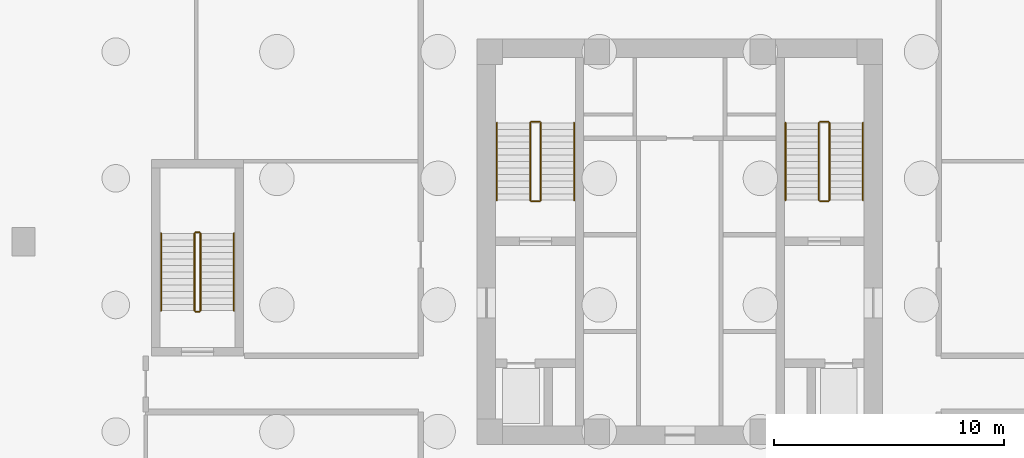
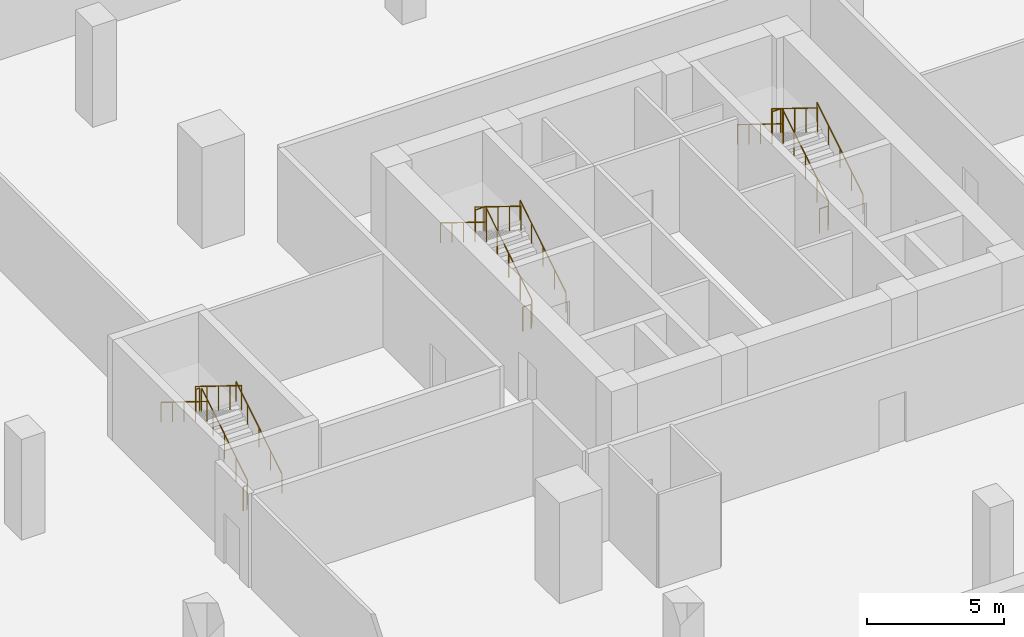
# One storey, part 6 of 8: 18 railings.
"""IFC4 building model written with IfcOpenShell, lengths in metres."""

from ifc_helpers import new_model, si_unit, direction, frame, origin, origin_2d, place, context, subcontext, project, spatial, circle, extrude, source, transform, mapped, material, type_object, element, save


model = new_model("IFC4")

# Units and contexts
model_context = context("Model", 3, precision=1e-05, world=origin(), true_north=direction((0.0, 1.0)))
body_context = subcontext(model_context, "Body", "Model", "MODEL_VIEW")
ifc_project = project(units=[si_unit("LENGTHUNIT", "METRE"), si_unit("AREAUNIT", "SQUARE_METRE"), si_unit("VOLUMEUNIT", "CUBIC_METRE"), si_unit("PLANEANGLEUNIT", "RADIAN"), si_unit("MASSUNIT", "GRAM", prefix="KILO"), si_unit("THERMODYNAMICTEMPERATUREUNIT", "KELVIN")], contexts=[model_context])

# Site, building, storey
site_placement = place(None, origin())
site = spatial("IfcSite", under=ifc_project, at=site_placement, CompositionType="ELEMENT")
building_placement = place(site_placement, origin())
building = spatial("IfcBuilding", under=site, at=building_placement, Name="Kosmvard Interchange Tower", CompositionType="ELEMENT")
storey_placement = place(building_placement, frame((0.0, 0.0, -9.0)))
storey = spatial("IfcBuildingStorey", under=building, at=storey_placement, Name="B02", CompositionType="ELEMENT", Elevation=-9.0)

# Railings
ifc_material = material(Name="Steel S355", Category="steel")
railing_type_1 = type_object("IfcRailingType", Name="Stair & Terrace Safety Guardrail 1100 Steel", PredefinedType="GUARDRAIL", material=ifc_material)
shared_shape_1 = source(origin(), body_context, "Body", "SweptSolid", [
    extrude(circle(Radius=0.02392578125, at=origin_2d()), frame((0.0, 0.0, 1.076171875), z_axis=(0.0, 0.850606129759, 0.525803396734), x_axis=(-1.0, 0.0, 0.0)), (0.0, 0.0, 1.0), 3.949951171875),
    extrude(circle(Radius=0.02099609375, at=origin_2d()), origin(), (0.0, 0.0, 1.0), 1.052001953125),
    extrude(circle(Radius=0.02099609375, at=origin_2d()), frame((0.0, 0.83984375, 0.519287109375)), (0.0, 0.0, 1.0), 1.052001953125),
    extrude(circle(Radius=0.02099609375, at=origin_2d()), frame((0.0, 1.679931640625, 1.03857421875)), (0.0, 0.0, 1.0), 1.052001953125),
    extrude(circle(Radius=0.02099609375, at=origin_2d()), frame((0.0, 2.52001953125, 1.5576171875)), (0.0, 0.0, 1.0), 1.052001953125),
    extrude(circle(Radius=0.02099609375, at=origin_2d()), frame((0.0, 3.35986328125, 2.076904296875)), (0.0, 0.0, 1.0), 1.052001953125),
])
for number, where, name in (
    (1, (-6.0400390625, 1.800048828125, 0.173095703125), "B02 ST-1 stair guard 1"),
    (2, (6.5, 1.800048828125, 0.173095703125), "B02 ST-2 stair guard 1"),
):
    element("IfcRailing", number, at=place(storey_placement, frame(where)), inside=storey, type_object=railing_type_1, Name=name, PredefinedType="GUARDRAIL", context=body_context, shape_type="MappedRepresentation", body=[
        mapped(shared_shape_1, transform((0.0, 0.0, 0.0), scale=1.0)),
    ])
shared_shape_2 = source(origin(), body_context, "Body", "SweptSolid", [
    extrude(circle(Radius=0.02392578125, at=origin_2d()), frame((0.0, 0.0, 1.076171875), z_axis=(-1.0, 0.0, 0.0), x_axis=(0.0, -1.0, 0.0)), (0.0, 0.0, 1.0), 0.35986328125),
    extrude(circle(Radius=0.02099609375, at=origin_2d()), origin(), (0.0, 0.0, 1.0), 1.052001953125),
    extrude(circle(Radius=0.02099609375, at=origin_2d()), frame((-0.35986328125, 0.0, 0.0)), (0.0, 0.0, 1.0), 1.052001953125),
])
for number, where, name in (
    (3, (-6.090087890625, 5.2099609375, 2.25), "B02 ST-1 stair guard 2"),
    (4, (-6.090087890625, 1.75, 0.0), "B02 ST-1 stair guard 4"),
    (5, (6.449951171875, 5.2099609375, 2.25), "B02 ST-2 stair guard 2"),
    (6, (6.449951171875, 1.75, 0.0), "B02 ST-2 stair guard 4"),
):
    element("IfcRailing", number, at=place(storey_placement, frame(where)), inside=storey, type_object=railing_type_1, Name=name, PredefinedType="GUARDRAIL", context=body_context, shape_type="MappedRepresentation", body=[
        mapped(shared_shape_2, transform((0.0, 0.0, 0.0), scale=1.0)),
    ])
shared_shape_3 = source(origin(), body_context, "Body", "SweptSolid", [
    extrude(circle(Radius=0.02392578125, at=origin_2d()), frame((0.0, 0.0, 1.076171875), z_axis=(0.0, -0.850606129759, 0.525803396734), x_axis=(1.0, 0.0, 0.0)), (0.0, 0.0, 1.0), 3.949951171875),
    extrude(circle(Radius=0.02099609375, at=origin_2d()), origin(), (0.0, 0.0, 1.0), 1.052001953125),
    extrude(circle(Radius=0.02099609375, at=origin_2d()), frame((0.0, -0.83984375, 0.519287109375)), (0.0, 0.0, 1.0), 1.052001953125),
    extrude(circle(Radius=0.02099609375, at=origin_2d()), frame((0.0, -1.679931640625, 1.03857421875)), (0.0, 0.0, 1.0), 1.052001953125),
    extrude(circle(Radius=0.02099609375, at=origin_2d()), frame((0.0, -2.52001953125, 1.5576171875)), (0.0, 0.0, 1.0), 1.052001953125),
    extrude(circle(Radius=0.02099609375, at=origin_2d()), frame((0.0, -3.35986328125, 2.076904296875)), (0.0, 0.0, 1.0), 1.052001953125),
])
for number, where, name in (
    (7, (-6.5, 5.159912109375, 2.423095703125), "B02 ST-1 stair guard 3"),
    (8, (6.0400390625, 5.159912109375, 2.423095703125), "B02 ST-2 stair guard 3"),
):
    element("IfcRailing", number, at=place(storey_placement, frame(where)), inside=storey, type_object=railing_type_1, Name=name, PredefinedType="GUARDRAIL", context=body_context, shape_type="MappedRepresentation", body=[
        mapped(shared_shape_3, transform((0.0, 0.0, 0.0), scale=1.0)),
    ])
railing_type_2 = type_object("IfcRailingType", Name="Wall-Mounted Stair Handrail 900 Steel", PredefinedType="HANDRAIL", material=ifc_material)
shared_shape_4 = source(origin(), body_context, "Body", "SweptSolid", [
    extrude(circle(Radius=0.02392578125, at=origin_2d()), frame((0.0, 0.0, 0.8759765625), z_axis=(0.0, 0.850606129759, 0.525803396734), x_axis=(-1.0, 0.0, 0.0)), (0.0, 0.0, 1.0), 3.949951171875),
    extrude(circle(Radius=0.02099609375, at=origin_2d()), origin(), (0.0, 0.0, 1.0), 0.851806640625),
    extrude(circle(Radius=0.02099609375, at=origin_2d()), frame((0.0, 0.83984375, 0.519287109375)), (0.0, 0.0, 1.0), 0.851806640625),
    extrude(circle(Radius=0.02099609375, at=origin_2d()), frame((0.0, 1.679931640625, 1.03857421875)), (0.0, 0.0, 1.0), 0.851806640625),
    extrude(circle(Radius=0.02099609375, at=origin_2d()), frame((0.0, 2.52001953125, 1.5576171875)), (0.0, 0.0, 1.0), 0.851806640625),
    extrude(circle(Radius=0.02099609375, at=origin_2d()), frame((0.0, 3.35986328125, 2.076904296875)), (0.0, 0.0, 1.0), 0.851806640625),
])
for number, where, name in (
    (9, (-4.590087890625, 1.800048828125, 0.173095703125), "B02 ST-1 stair handrail 1"),
    (10, (7.949951171875, 1.800048828125, 0.173095703125), "B02 ST-2 stair handrail 1"),
):
    element("IfcRailing", number, at=place(storey_placement, frame(where)), inside=storey, type_object=railing_type_2, Name=name, PredefinedType="HANDRAIL", context=body_context, shape_type="MappedRepresentation", body=[
        mapped(shared_shape_4, transform((0.0, 0.0, 0.0), scale=1.0)),
    ])
shared_shape_5 = source(origin(), body_context, "Body", "SweptSolid", [
    extrude(circle(Radius=0.02392578125, at=origin_2d()), frame((0.0, 0.0, 0.8759765625), z_axis=(0.0, -0.850606129759, 0.525803396734), x_axis=(1.0, 0.0, 0.0)), (0.0, 0.0, 1.0), 3.949951171875),
    extrude(circle(Radius=0.02099609375, at=origin_2d()), origin(), (0.0, 0.0, 1.0), 0.851806640625),
    extrude(circle(Radius=0.02099609375, at=origin_2d()), frame((0.0, -0.83984375, 0.519287109375)), (0.0, 0.0, 1.0), 0.851806640625),
    extrude(circle(Radius=0.02099609375, at=origin_2d()), frame((0.0, -1.679931640625, 1.03857421875)), (0.0, 0.0, 1.0), 0.851806640625),
    extrude(circle(Radius=0.02099609375, at=origin_2d()), frame((0.0, -2.52001953125, 1.5576171875)), (0.0, 0.0, 1.0), 0.851806640625),
    extrude(circle(Radius=0.02099609375, at=origin_2d()), frame((0.0, -3.35986328125, 2.076904296875)), (0.0, 0.0, 1.0), 0.851806640625),
])
for number, where, name in (
    (11, (-7.949951171875, 5.159912109375, 2.423095703125), "B02 ST-1 stair handrail 2"),
    (12, (4.590087890625, 5.159912109375, 2.423095703125), "B02 ST-2 stair handrail 2"),
):
    element("IfcRailing", number, at=place(storey_placement, frame(where)), inside=storey, type_object=railing_type_2, Name=name, PredefinedType="HANDRAIL", context=body_context, shape_type="MappedRepresentation", body=[
        mapped(shared_shape_5, transform((0.0, 0.0, 0.0), scale=1.0)),
    ])
shared_shape_6 = source(origin(), body_context, "Body", "SweptSolid", [
    extrude(circle(Radius=0.02392578125, at=origin_2d()), frame((0.0, 0.0, 1.076171875), z_axis=(0.0, 0.850623216509, 0.525775754039), x_axis=(-1.0, 0.0, 0.0)), (0.0, 0.0, 1.0), 3.9501953125),
    extrude(circle(Radius=0.02099609375, at=origin_2d()), origin(), (0.0, 0.0, 1.0), 1.052001953125),
    extrude(circle(Radius=0.02099609375, at=origin_2d()), frame((0.0, 0.840087890625, 0.519287109375)), (0.0, 0.0, 1.0), 1.052001953125),
    extrude(circle(Radius=0.02099609375, at=origin_2d()), frame((0.0, 1.68017578125, 1.03857421875)), (0.0, 0.0, 1.0), 1.052001953125),
    extrude(circle(Radius=0.02099609375, at=origin_2d()), frame((0.0, 2.52001953125, 1.5576171875)), (0.0, 0.0, 1.0), 1.052001953125),
    extrude(circle(Radius=0.02099609375, at=origin_2d()), frame((0.0, 3.360107421875, 2.076904296875)), (0.0, 0.0, 1.0), 1.052001953125),
])
railing_1_placement = place(storey_placement, frame((-20.820068359375, -3.0, 0.173095703125)))
element("IfcRailing", 13, at=railing_1_placement, inside=storey, type_object=railing_type_1, Name="B02 ST-3 stair guard 1", PredefinedType="GUARDRAIL", context=body_context, shape_type="MappedRepresentation", body=[
    mapped(shared_shape_6, transform((0.0, 0.0, 0.0), scale=1.0)),
])
shared_shape_7 = source(origin(), body_context, "Body", "SweptSolid", [
    extrude(circle(Radius=0.02392578125, at=origin_2d()), frame((0.0, 0.0, 1.076171875), z_axis=(-1.0, 0.0, 0.0), x_axis=(0.0, -1.0, 0.0)), (0.0, 0.0, 1.0), 0.159912109375),
    extrude(circle(Radius=0.02099609375, at=origin_2d()), origin(), (0.0, 0.0, 1.0), 1.052001953125),
    extrude(circle(Radius=0.02099609375, at=origin_2d()), frame((-0.159912109375, 0.0, 0.0)), (0.0, 0.0, 1.0), 1.052001953125),
])
for number, where, name in (
    (14, (-20.8701171875, 0.409912109375, 2.25), "B02 ST-3 stair guard 2"),
    (15, (-20.8701171875, -3.050048828125, 0.0), "B02 ST-3 stair guard 4"),
):
    element("IfcRailing", number, at=place(storey_placement, frame(where)), inside=storey, type_object=railing_type_1, Name=name, PredefinedType="GUARDRAIL", context=body_context, shape_type="MappedRepresentation", body=[
        mapped(shared_shape_7, transform((0.0, 0.0, 0.0), scale=1.0)),
    ])
shared_shape_8 = source(origin(), body_context, "Body", "SweptSolid", [
    extrude(circle(Radius=0.02392578125, at=origin_2d()), frame((0.0, 0.0, 1.076171875), z_axis=(0.0, -0.850623216509, 0.525775754039), x_axis=(1.0, 0.0, 0.0)), (0.0, 0.0, 1.0), 3.9501953125),
    extrude(circle(Radius=0.02099609375, at=origin_2d()), origin(), (0.0, 0.0, 1.0), 1.052001953125),
    extrude(circle(Radius=0.02099609375, at=origin_2d()), frame((0.0, -0.840087890625, 0.519287109375)), (0.0, 0.0, 1.0), 1.052001953125),
    extrude(circle(Radius=0.02099609375, at=origin_2d()), frame((0.0, -1.68017578125, 1.03857421875)), (0.0, 0.0, 1.0), 1.052001953125),
    extrude(circle(Radius=0.02099609375, at=origin_2d()), frame((0.0, -2.52001953125, 1.5576171875)), (0.0, 0.0, 1.0), 1.052001953125),
    extrude(circle(Radius=0.02099609375, at=origin_2d()), frame((0.0, -3.360107421875, 2.076904296875)), (0.0, 0.0, 1.0), 1.052001953125),
])
railing_2_placement = place(storey_placement, frame((-21.080078125, 0.360107421875, 2.423095703125)))
element("IfcRailing", 16, at=railing_2_placement, inside=storey, type_object=railing_type_1, Name="B02 ST-3 stair guard 3", PredefinedType="GUARDRAIL", context=body_context, shape_type="MappedRepresentation", body=[
    mapped(shared_shape_8, transform((0.0, 0.0, 0.0), scale=1.0)),
])
shared_shape_9 = source(origin(), body_context, "Body", "SweptSolid", [
    extrude(circle(Radius=0.02392578125, at=origin_2d()), frame((0.0, 0.0, 0.8759765625), z_axis=(0.0, 0.850623216509, 0.525775754039), x_axis=(-1.0, 0.0, 0.0)), (0.0, 0.0, 1.0), 3.9501953125),
    extrude(circle(Radius=0.02099609375, at=origin_2d()), origin(), (0.0, 0.0, 1.0), 0.851806640625),
    extrude(circle(Radius=0.02099609375, at=origin_2d()), frame((0.0, 0.840087890625, 0.519287109375)), (0.0, 0.0, 1.0), 0.851806640625),
    extrude(circle(Radius=0.02099609375, at=origin_2d()), frame((0.0, 1.68017578125, 1.03857421875)), (0.0, 0.0, 1.0), 0.851806640625),
    extrude(circle(Radius=0.02099609375, at=origin_2d()), frame((0.0, 2.52001953125, 1.5576171875)), (0.0, 0.0, 1.0), 0.851806640625),
    extrude(circle(Radius=0.02099609375, at=origin_2d()), frame((0.0, 3.360107421875, 2.076904296875)), (0.0, 0.0, 1.0), 0.851806640625),
])
railing_3_placement = place(storey_placement, frame((-19.3701171875, -3.0, 0.173095703125)))
element("IfcRailing", 17, at=railing_3_placement, inside=storey, type_object=railing_type_2, Name="B02 ST-3 stair handrail 1", PredefinedType="HANDRAIL", context=body_context, shape_type="MappedRepresentation", body=[
    mapped(shared_shape_9, transform((0.0, 0.0, 0.0), scale=1.0)),
])
shared_shape_10 = source(origin(), body_context, "Body", "SweptSolid", [
    extrude(circle(Radius=0.02392578125, at=origin_2d()), frame((0.0, 0.0, 0.8759765625), z_axis=(0.0, -0.850623216509, 0.525775754039), x_axis=(1.0, 0.0, 0.0)), (0.0, 0.0, 1.0), 3.9501953125),
    extrude(circle(Radius=0.02099609375, at=origin_2d()), origin(), (0.0, 0.0, 1.0), 0.851806640625),
    extrude(circle(Radius=0.02099609375, at=origin_2d()), frame((0.0, -0.840087890625, 0.519287109375)), (0.0, 0.0, 1.0), 0.851806640625),
    extrude(circle(Radius=0.02099609375, at=origin_2d()), frame((0.0, -1.68017578125, 1.03857421875)), (0.0, 0.0, 1.0), 0.851806640625),
    extrude(circle(Radius=0.02099609375, at=origin_2d()), frame((0.0, -2.52001953125, 1.5576171875)), (0.0, 0.0, 1.0), 0.851806640625),
    extrude(circle(Radius=0.02099609375, at=origin_2d()), frame((0.0, -3.360107421875, 2.076904296875)), (0.0, 0.0, 1.0), 0.851806640625),
])
railing_4_placement = place(storey_placement, frame((-22.530029296875, 0.360107421875, 2.423095703125)))
element("IfcRailing", 18, at=railing_4_placement, inside=storey, type_object=railing_type_2, Name="B02 ST-3 stair handrail 2", PredefinedType="HANDRAIL", context=body_context, shape_type="MappedRepresentation", body=[
    mapped(shared_shape_10, transform((0.0, 0.0, 0.0), scale=1.0)),
])

save(model, "model.ifc")
